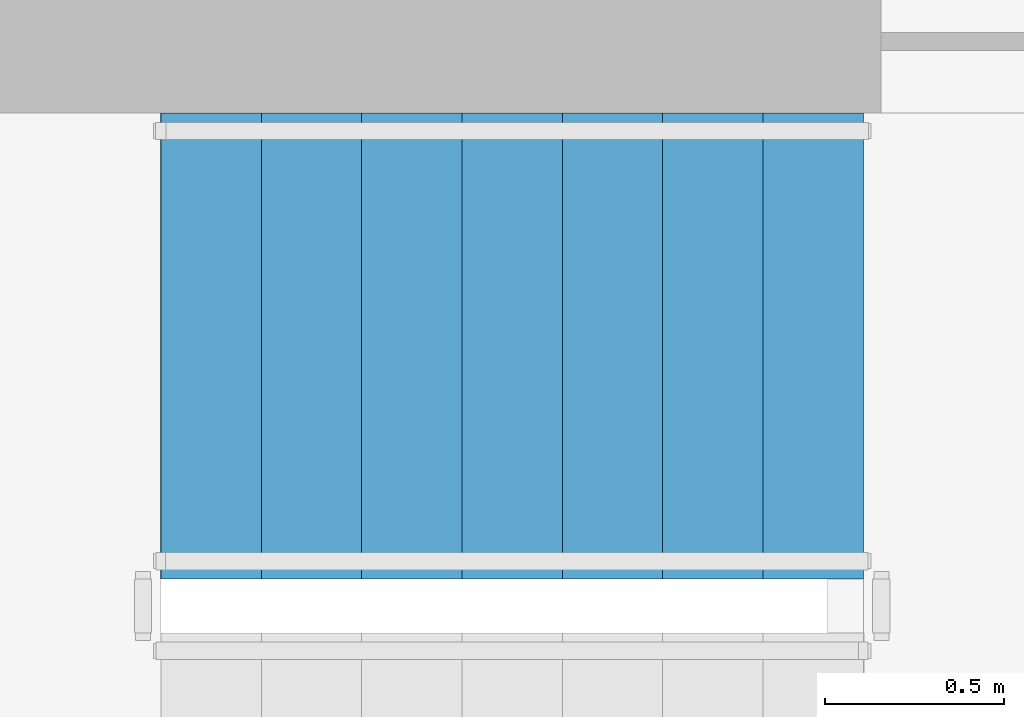
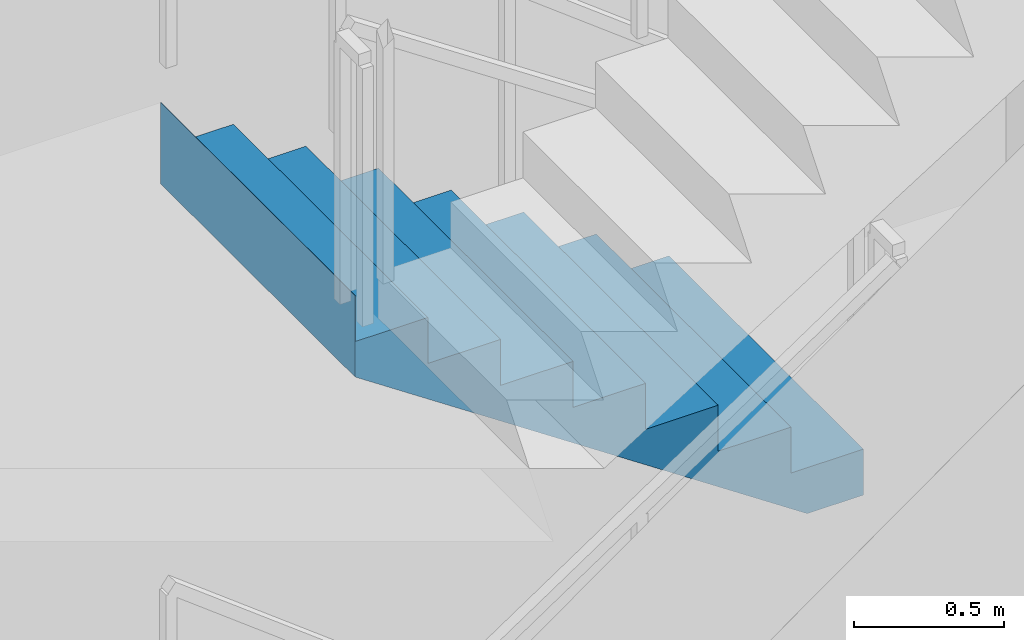
# One storey, part 18 of 23: 1 stair flight, 1 element without a shape of its own.
"""IFC4 building model written with IfcOpenShell, lengths in metres."""

import ifcopenshell
import ifcopenshell.guid

model = None  # the IFC model being written
_history = None  # IfcOwnerHistory: only IFC2X3 demands one
_inside = {}  # id of a spatial element -> (the spatial element, [elements in it])
_under = {}  # id of a project, library or spatial element -> (it, [spatial elements below it])
_declared = {}  # id of a project -> (the project, [libraries it declares])
_typed = {}  # id of a type object -> (the type object, [elements of that type])
_made_of = {}  # id of a material, layer set ... -> (it, [elements and type objects made of it])


def new_model(schema):
    """Start an empty IFC model of exactly this schema.

    Asked for "IFC4X3", IfcOpenShell would pick the latest addendum, in which some entities
    have other attributes; the version numbers below select the first issue.
    IFC2X3 requires an IfcOwnerHistory on every rooted entity: one is made here for all.
    """
    global model, _history
    if schema == "IFC4X3":
        model = ifcopenshell.file(schema_version=(4, 3, 0, 0))
    else:
        model = ifcopenshell.file(schema=schema)
    _inside.clear()
    _under.clear()
    _declared.clear()
    _typed.clear()
    _made_of.clear()
    _history = None
    if model.schema == "IFC2X3":
        org = make("IfcOrganization", Name="unknown")
        user = make(
            "IfcPersonAndOrganization",
            ThePerson=make("IfcPerson", FamilyName="unknown"),
            TheOrganization=org,
        )
        app = make(
            "IfcApplication",
            ApplicationDeveloper=org,
            Version="unknown",
            ApplicationFullName="unknown",
            ApplicationIdentifier="unknown",
        )
        _history = make(
            "IfcOwnerHistory",
            OwningUser=user,
            OwningApplication=app,
            ChangeAction="ADDED",
            CreationDate=0,
        )
    return model


def make(cls, **values):
    """One entity of the class cls with the attributes given. An attribute that is None is left unset."""
    return model.create_entity(
        cls, **{name: value for name, value in values.items() if value is not None}
    )


def rooted(cls, **values):
    """An entity with a GlobalId (a new one), such as an element, a storey or a relation."""
    return make(cls, GlobalId=ifcopenshell.guid.new(), OwnerHistory=_history, **values)


def si_unit(unit_type, name, prefix=None):
    """IfcSIUnit, for example si_unit("LENGTHUNIT", "METRE", prefix="MILLI")."""
    return make("IfcSIUnit", UnitType=unit_type, Prefix=prefix, Name=name)


def assignment(units):
    """IfcUnitAssignment: the units of a project."""
    return None if units is None else make("IfcUnitAssignment", Units=units)


def point(xyz):
    """IfcCartesianPoint."""
    return None if xyz is None else make("IfcCartesianPoint", Coordinates=xyz)


def direction(xyz):
    """IfcDirection."""
    return None if xyz is None else make("IfcDirection", DirectionRatios=xyz)


def frame(location, z_axis=None, x_axis=None):
    """IfcAxis2Placement3D, a coordinate frame: its origin and axes. An axis left out is left unset."""
    return make(
        "IfcAxis2Placement3D",
        Location=point(location),
        Axis=direction(z_axis),
        RefDirection=direction(x_axis),
    )


def origin():
    """The frame at (0, 0, 0) with its axes left unset."""
    return frame((0.0, 0.0, 0.0))


def place(relative_to, where):
    """IfcLocalPlacement: puts the frame where relative to a parent placement (None: the world)."""
    return make(
        "IfcLocalPlacement", PlacementRelTo=relative_to, RelativePlacement=where
    )


def context(
    kind, dimensions, precision=None, world=None, true_north=None, identifier=None
):
    """IfcGeometricRepresentationContext, for example the 3D "Model" context."""
    return make(
        "IfcGeometricRepresentationContext",
        ContextIdentifier=identifier,
        ContextType=kind,
        CoordinateSpaceDimension=dimensions,
        Precision=precision,
        WorldCoordinateSystem=world,
        TrueNorth=true_north,
    )


def subcontext(parent, identifier, kind, view, scale=None):
    """IfcGeometricRepresentationSubContext, for example "Body" below "Model"."""
    return make(
        "IfcGeometricRepresentationSubContext",
        ContextIdentifier=identifier,
        ContextType=kind,
        ParentContext=parent,
        TargetScale=scale,
        TargetView=view,
    )


def project(units=None, contexts=None):
    """IfcProject with its units and contexts."""
    return rooted(
        "IfcProject",
        Name="project",
        RepresentationContexts=contexts,
        UnitsInContext=assignment(units),
    )


def spatial(cls, under=None, at=None, **own):
    """A site, building, storey or space (cls), placed at a placement, below another one or the project."""
    s = rooted(cls, ObjectPlacement=at, **own)
    if under is not None:
        _under.setdefault(under.id(), (under, []))[1].append(s)
    return s


def point_list(points):
    """IfcCartesianPointList2D or 3D."""
    cls = (
        "IfcCartesianPointList2D" if len(points[0]) == 2 else "IfcCartesianPointList3D"
    )
    return make(cls, CoordList=points)


def triangles(points, corners, closed=None, point_numbers=None):
    """IfcTriangulatedFaceSet: each triangle names its three corners, points numbered from 1."""
    return make(
        "IfcTriangulatedFaceSet",
        Coordinates=point_list(points),
        Closed=closed,
        CoordIndex=corners,
        PnIndex=point_numbers,
    )


def shape(context_of_items, identifier, shape_type, items):
    """IfcShapeRepresentation: the items that make up one representation, for example the "Body"."""
    return make(
        "IfcShapeRepresentation",
        ContextOfItems=context_of_items,
        RepresentationIdentifier=identifier,
        RepresentationType=shape_type,
        Items=items,
    )


def material(Name=None, Category=None):
    """IfcMaterial."""
    return make("IfcMaterial", Name=Name, Category=Category)


def made_of(thing, what):
    """Note that an element or type object is made of a material, layer set ...; save() writes the relation."""
    if what is not None:
        _made_of.setdefault(what.id(), (what, []))[1].append(thing)
    return thing


def type_object(cls, material=None, **own):
    """A type object (cls), such as IfcWallType, which elements share."""
    return made_of(rooted(cls, **own), material)


def element(
    cls,
    number,
    at=None,
    inside=None,
    cuts=None,
    type_object=None,
    material=None,
    context=None,
    identifier="Body",
    shape_type=None,
    held_by="IfcProductDefinitionShape",
    body=None,
    shapes=None,
    **own,
):
    """One element of the class cls, such as IfcWall. Its Tag is "e" and its number.

    at: its placement. inside: the storey or other place that contains it. cuts: it is an
    opening in that element (IfcRelVoidsElement). A single representation is given by context,
    identifier, shape_type and body (its items); several are given by shapes. held_by: the class
    of the entity that holds the representations. save() writes the other relations.
    """
    e = rooted(cls, Tag="e%d" % number, ObjectPlacement=at, **own)
    if body is not None:
        shapes = [shape(context, identifier, shape_type, body)]
    if shapes is not None:
        e.Representation = make(held_by, Representations=shapes)
    if inside is not None:
        _inside.setdefault(inside.id(), (inside, []))[1].append(e)
    if cuts is not None:
        rooted(
            "IfcRelVoidsElement", RelatingBuildingElement=cuts, RelatedOpeningElement=e
        )
    if type_object is not None:
        _typed.setdefault(type_object.id(), (type_object, []))[1].append(e)
    return made_of(e, material)


def aggregate(whole, parts):
    """IfcRelAggregates: a whole, such as a stair, and the parts it consists of."""
    return rooted("IfcRelAggregates", RelatingObject=whole, RelatedObjects=parts)


def save(model, path):
    """Write the relations noted so far, then the file.

    IfcRelAggregates (storeys below a building ...), IfcRelContainedInSpatialStructure (elements
    in a storey), IfcRelDefinesByType, IfcRelAssociatesMaterial and IfcRelDeclares: one each for
    every whole, place, type object, material and project.
    """
    for whole, parts in _under.values():
        aggregate(whole, parts)
    for where, things in _inside.values():
        rooted(
            "IfcRelContainedInSpatialStructure",
            RelatedElements=things,
            RelatingStructure=where,
        )
    for kind, things in _typed.values():
        rooted("IfcRelDefinesByType", RelatedObjects=things, RelatingType=kind)
    for what, things in _made_of.values():
        rooted("IfcRelAssociatesMaterial", RelatedObjects=things, RelatingMaterial=what)
    for by, libraries in _declared.values():
        rooted("IfcRelDeclares", RelatingContext=by, RelatedDefinitions=libraries)
    model.write(path)


model = new_model("IFC4")

# Units and contexts
model_context = context("Model", 3, precision=1e-05, world=origin(), true_north=direction((0.0, 1.0)))
body_context = subcontext(model_context, "Body", "Model", "MODEL_VIEW")
ifc_project = project(units=[si_unit("LENGTHUNIT", "METRE"), si_unit("AREAUNIT", "SQUARE_METRE"), si_unit("VOLUMEUNIT", "CUBIC_METRE"), si_unit("PLANEANGLEUNIT", "RADIAN"), si_unit("MASSUNIT", "GRAM", prefix="KILO")], contexts=[model_context])

# Site, building, storey
site_placement = place(None, origin())
site = spatial("IfcSite", under=ifc_project, at=site_placement, CompositionType="ELEMENT")
building_placement = place(site_placement, origin())
building = spatial("IfcBuilding", under=site, at=building_placement, Name="Beryl Residences", CompositionType="ELEMENT")
storey_placement = place(building_placement, frame((0.0, 0.0, 66.0)))
storey = spatial("IfcBuildingStorey", under=building, at=storey_placement, Name="L20", CompositionType="ELEMENT", Elevation=66.0)

# Stair, stair flight
ifc_material_1 = material(Name="Concrete C40/50", Category="concrete")
stair_type = type_object("IfcStairType", Name="ST1 protected exit stair, half-turn, 1300 mm flights", PredefinedType="HALF_TURN_STAIR", material=ifc_material_1)
stair_placement = place(storey_placement, origin())
stair = element("IfcStair", 1, at=stair_placement, inside=storey, type_object=stair_type, Name="L20 PROTECTED EXIT STAIR ST-3", PredefinedType="HALF_TURN_STAIR")
ifc_material_2 = material(Name="Concrete C40/50", Category="concrete")
stair_flight_type = type_object("IfcStairFlightType", Name="SF1 stair flight 1300 mm", PredefinedType="STRAIGHT", material=ifc_material_2)
stair_flight_placement = place(storey_placement, frame((10.800048828125, -15.5, 3.0), z_axis=(0.0, 0.0, 1.0), x_axis=(-1.0, 0.0, 0.0)))
stair_flight = element("IfcStairFlight", 2, at=stair_flight_placement, type_object=stair_flight_type, Name="ST-3 flight 3", NumberOfRisers=8, NumberOfTreads=7, PredefinedType="STRAIGHT", RiserHeight=0.1875, TreadLength=0.28, context=body_context, shape_type="Tessellation", body=[
    triangles([(0.0, -0.64990234375, 0.0), (0.0, -0.324951171875, 0.0), (0.0, 0.0, 0.0), (0.0, 0.324951171875, 0.0), (0.0, 0.64990234375, 0.0), (0.0, -0.64990234375, 0.1875), (0.0, -0.324951171875, 0.1875), (0.0, 0.0, 0.1875), (0.0, 0.324951171875, 0.1875), (0.0, 0.64990234375, 0.1875), (0.280029296875, -0.64990234375, 0.1875), (0.280029296875, -0.324951171875, 0.1875), (0.280029296875, 0.0, 0.1875), (0.280029296875, 0.324951171875, 0.1875), (0.280029296875, 0.64990234375, 0.1875), (0.280029296875, -0.64990234375, 0.375), (0.280029296875, -0.324951171875, 0.375), (0.280029296875, 0.0, 0.375), (0.280029296875, 0.324951171875, 0.375), (0.280029296875, 0.64990234375, 0.375), (0.56005859375, -0.64990234375, 0.375), (0.56005859375, -0.324951171875, 0.375), (0.56005859375, 0.0, 0.375), (0.56005859375, 0.324951171875, 0.375), (0.56005859375, 0.64990234375, 0.375), (0.56005859375, -0.64990234375, 0.5625), (0.56005859375, -0.324951171875, 0.5625), (0.56005859375, 0.0, 0.5625), (0.56005859375, 0.324951171875, 0.5625), (0.56005859375, 0.64990234375, 0.5625), (0.840087890625, -0.64990234375, 0.5625), (0.840087890625, -0.324951171875, 0.5625), (0.840087890625, 0.0, 0.5625), (0.840087890625, 0.324951171875, 0.5625), (0.840087890625, 0.64990234375, 0.5625), (0.840087890625, -0.64990234375, 0.75), (0.840087890625, -0.324951171875, 0.75), (0.840087890625, 0.0, 0.75), (0.840087890625, 0.324951171875, 0.75), (0.840087890625, 0.64990234375, 0.75), (1.1201171875, -0.64990234375, 0.75), (1.1201171875, -0.324951171875, 0.75), (1.1201171875, 0.0, 0.75), (1.1201171875, 0.324951171875, 0.75), (1.1201171875, 0.64990234375, 0.75), (1.1201171875, -0.64990234375, 0.9375), (1.1201171875, -0.324951171875, 0.9375), (1.1201171875, 0.0, 0.9375), (1.1201171875, 0.324951171875, 0.9375), (1.1201171875, 0.64990234375, 0.9375), (1.39990234375, -0.64990234375, 0.9375), (1.39990234375, -0.324951171875, 0.9375), (1.39990234375, 0.0, 0.9375), (1.39990234375, 0.324951171875, 0.9375), (1.39990234375, 0.64990234375, 0.9375), (1.39990234375, -0.64990234375, 1.125), (1.39990234375, -0.324951171875, 1.125), (1.39990234375, 0.0, 1.125), (1.39990234375, 0.324951171875, 1.125), (1.39990234375, 0.64990234375, 1.125), (1.679931640625, -0.64990234375, 1.125), (1.679931640625, -0.324951171875, 1.125), (1.679931640625, 0.0, 1.125), (1.679931640625, 0.324951171875, 1.125), (1.679931640625, 0.64990234375, 1.125), (1.679931640625, -0.64990234375, 1.3125), (1.679931640625, -0.324951171875, 1.3125), (1.679931640625, 0.0, 1.3125), (1.679931640625, 0.324951171875, 1.3125), (1.679931640625, 0.64990234375, 1.3125), (1.9599609375, -0.64990234375, 1.3125), (1.9599609375, -0.324951171875, 1.3125), (1.9599609375, 0.0, 1.3125), (1.9599609375, 0.324951171875, 1.3125), (1.9599609375, 0.64990234375, 1.3125), (1.9599609375, -0.64990234375, 1.5), (1.9599609375, -0.324951171875, 1.5), (1.9599609375, 0.0, 1.5), (1.9599609375, 0.324951171875, 1.5), (1.9599609375, 0.64990234375, 1.5), (1.9609375, -0.64990234375, 1.5), (1.9609375, -0.324951171875, 1.5), (1.9609375, 0.0, 1.5), (1.9609375, 0.324951171875, 1.5), (1.9609375, 0.64990234375, 1.5), (1.9609375, -0.64990234375, 1.16796875), (1.9609375, -0.324951171875, 1.16796875), (1.9609375, 0.0, 1.16796875), (1.9609375, 0.324951171875, 1.16796875), (1.9609375, 0.64990234375, 1.16796875), (0.216796875, -0.64990234375, 0.0), (0.216796875, -0.324951171875, 0.0), (0.216796875, 0.0, 0.0), (0.216796875, 0.324951171875, 0.0), (0.216796875, 0.64990234375, 0.0)], [[1, 6, 7], [1, 7, 2], [2, 7, 8], [2, 8, 3], [3, 8, 9], [3, 9, 4], [4, 9, 10], [4, 10, 5], [6, 11, 12], [6, 12, 7], [7, 12, 13], [7, 13, 8], [8, 13, 14], [8, 14, 9], [9, 14, 15], [9, 15, 10], [11, 16, 17], [11, 17, 12], [12, 17, 18], [12, 18, 13], [13, 18, 19], [13, 19, 14], [14, 19, 20], [14, 20, 15], [16, 21, 22], [16, 22, 17], [17, 22, 23], [17, 23, 18], [18, 23, 24], [18, 24, 19], [19, 24, 25], [19, 25, 20], [21, 26, 27], [21, 27, 22], [22, 27, 28], [22, 28, 23], [23, 28, 29], [23, 29, 24], [24, 29, 30], [24, 30, 25], [26, 31, 32], [26, 32, 27], [27, 32, 33], [27, 33, 28], [28, 33, 34], [28, 34, 29], [29, 34, 35], [29, 35, 30], [31, 36, 37], [31, 37, 32], [32, 37, 38], [32, 38, 33], [33, 38, 39], [33, 39, 34], [34, 39, 40], [34, 40, 35], [36, 41, 42], [36, 42, 37], [37, 42, 43], [37, 43, 38], [38, 43, 44], [38, 44, 39], [39, 44, 45], [39, 45, 40], [41, 46, 47], [41, 47, 42], [42, 47, 48], [42, 48, 43], [43, 48, 49], [43, 49, 44], [44, 49, 50], [44, 50, 45], [46, 51, 52], [46, 52, 47], [47, 52, 53], [47, 53, 48], [48, 53, 54], [48, 54, 49], [49, 54, 55], [49, 55, 50], [51, 56, 57], [51, 57, 52], [52, 57, 58], [52, 58, 53], [53, 58, 59], [53, 59, 54], [54, 59, 60], [54, 60, 55], [56, 61, 62], [56, 62, 57], [57, 62, 63], [57, 63, 58], [58, 63, 64], [58, 64, 59], [59, 64, 65], [59, 65, 60], [61, 66, 67], [61, 67, 62], [62, 67, 68], [62, 68, 63], [63, 68, 69], [63, 69, 64], [64, 69, 70], [64, 70, 65], [66, 71, 72], [66, 72, 67], [67, 72, 73], [67, 73, 68], [68, 73, 74], [68, 74, 69], [69, 74, 75], [69, 75, 70], [71, 76, 77], [71, 77, 72], [72, 77, 78], [72, 78, 73], [73, 78, 79], [73, 79, 74], [74, 79, 80], [74, 80, 75], [76, 81, 82], [76, 82, 77], [77, 82, 83], [77, 83, 78], [78, 83, 84], [78, 84, 79], [79, 84, 85], [79, 85, 80], [81, 86, 87], [81, 87, 82], [82, 87, 88], [82, 88, 83], [83, 88, 89], [83, 89, 84], [84, 89, 90], [84, 90, 85], [86, 91, 92], [86, 92, 87], [87, 92, 93], [87, 93, 88], [88, 93, 94], [88, 94, 89], [89, 94, 95], [89, 95, 90], [91, 1, 2], [91, 2, 92], [92, 2, 3], [92, 3, 93], [93, 3, 4], [93, 4, 94], [94, 4, 5], [94, 5, 95], [1, 91, 86], [5, 90, 95], [86, 81, 76], [90, 80, 85], [86, 76, 71], [90, 75, 80], [86, 71, 66], [90, 70, 75], [86, 66, 61], [90, 65, 70], [61, 56, 51], [65, 55, 60], [86, 61, 51], [90, 55, 65], [51, 46, 41], [55, 45, 50], [86, 51, 41], [90, 45, 55], [41, 36, 31], [45, 35, 40], [86, 41, 31], [90, 35, 45], [31, 26, 21], [35, 25, 30], [86, 31, 21], [90, 25, 35], [21, 16, 11], [25, 15, 20], [86, 21, 11], [90, 15, 25], [1, 86, 11], [5, 15, 90], [11, 6, 1], [15, 5, 10]], closed=True),
])
aggregate(stair, [stair_flight])

save(model, "model.ifc")
